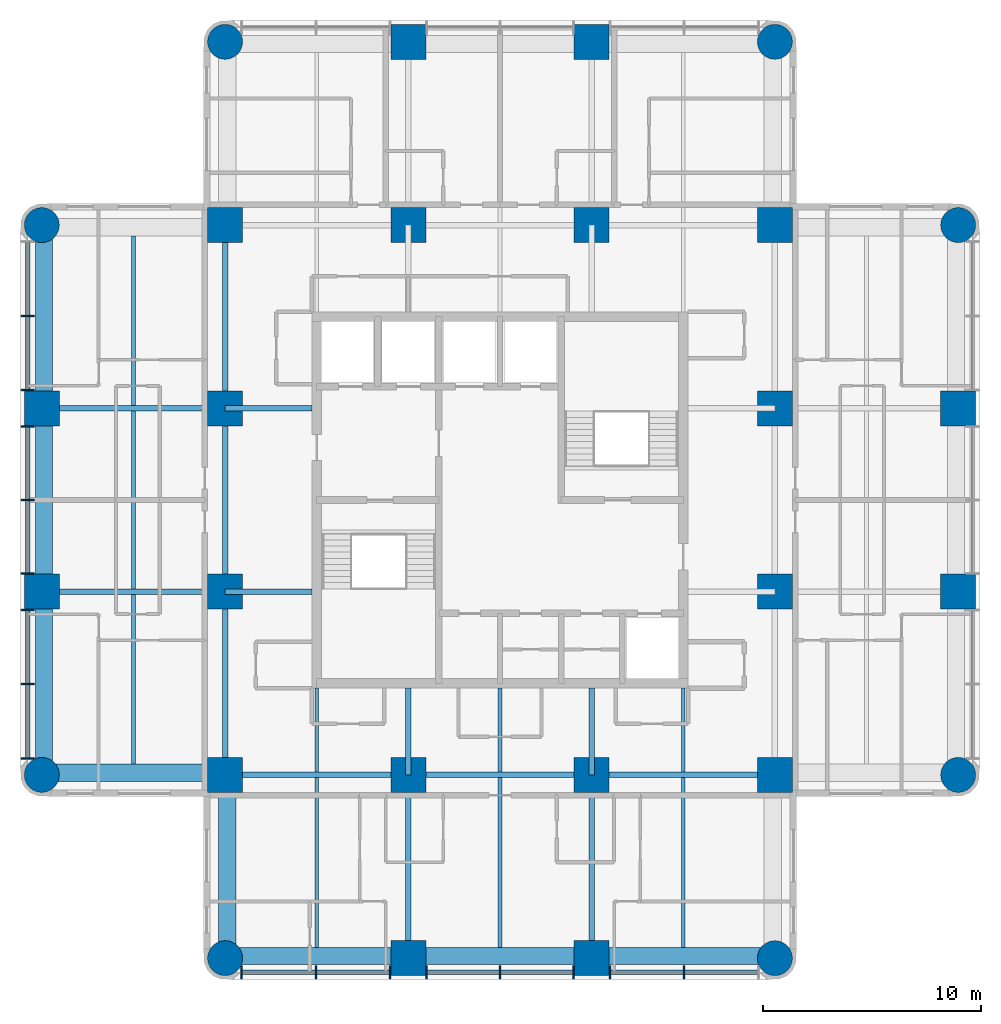
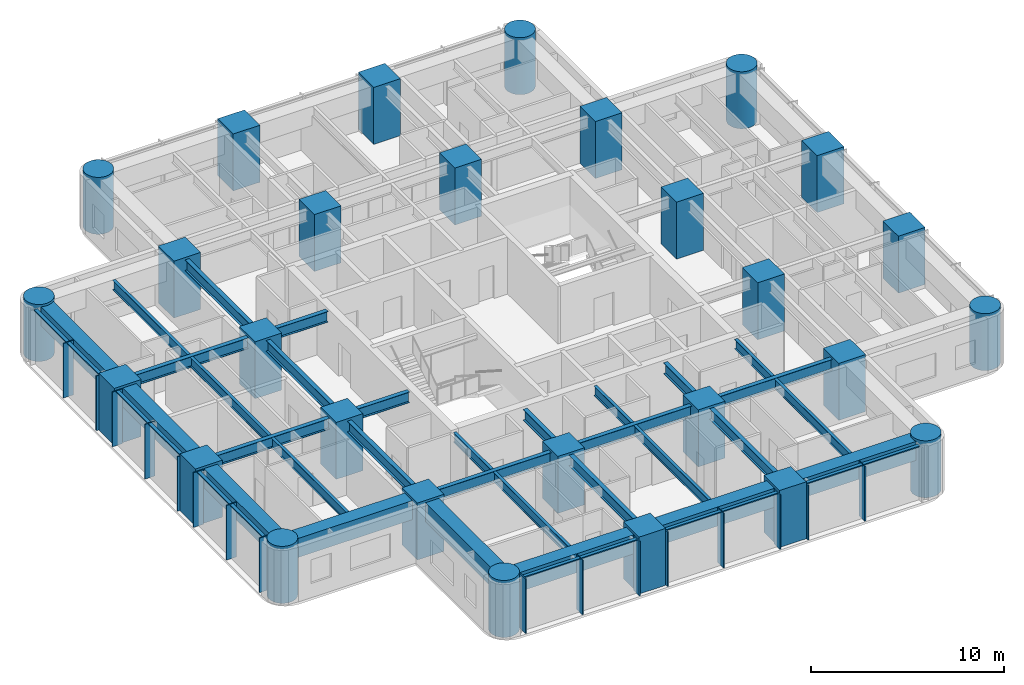
# One storey, part 1 of 10: 31 beams, 28 columns, 28 members, 2 elements without a shape of their own.
"""IFC4 building model written with IfcOpenShell, lengths in metres."""

from ifc_helpers import new_model, si_unit, direction, frame, origin, origin_2d, place, context, subcontext, project, spatial, rectangle, circle, i_section, extrude, material, material_profile, profile_set, type_object, element, aggregate, save


model = new_model("IFC4")

# Units and contexts
model_context = context("Model", 3, precision=1e-05, world=origin(), true_north=direction((0.0, 1.0)))
body_context = subcontext(model_context, "Body", "Model", "MODEL_VIEW")
ifc_project = project(units=[si_unit("LENGTHUNIT", "METRE"), si_unit("AREAUNIT", "SQUARE_METRE"), si_unit("VOLUMEUNIT", "CUBIC_METRE"), si_unit("PLANEANGLEUNIT", "RADIAN"), si_unit("MASSUNIT", "GRAM", prefix="KILO")], contexts=[model_context])

# Site, building, storey
site_placement = place(None, origin())
site = spatial("IfcSite", under=ifc_project, at=site_placement, CompositionType="ELEMENT")
building_placement = place(site_placement, origin())
building = spatial("IfcBuilding", under=site, at=building_placement, Name="Torre Alcanfor", CompositionType="ELEMENT")
storey_placement = place(building_placement, frame((0.0, 0.0, 257.699951171875)))
storey = spatial("IfcBuildingStorey", under=building, at=storey_placement, Name="L67", CompositionType="ELEMENT", Elevation=257.699951171875)

# Columns
ifc_material_1 = material(Name="Concrete f'c 70 MPa", Category="concrete")
ifc_material_profile_1 = material_profile(ifc_material_1, rectangle(XDim=1.60009765625, YDim=1.60009765625, at=origin_2d()), Name="1600x1600")
ifc_profile_set_1 = profile_set([ifc_material_profile_1], Name="Concrete f'c 70 MPa")
column_type_1 = type_object("IfcColumnType", Name="RC column 1600x1600 f'c70", PredefinedType="COLUMN", material=ifc_profile_set_1)
for number, where, z_axis, x_axis, name in (
    (1, (8.39990234375, 25.199951171875, 0.0), (0.0, 0.0, 1.0), (1.0, 0.0, 0.0), "Column 2/F L67"),
    (2, (8.39990234375, 33.60009765625, 0.0), (0.0, 0.0, 1.0), (1.0, 0.0, 0.0), "Column 2/G L67"),
    (3, (16.800048828125, 16.800048828125, 0.0), (0.0, 0.0, 1.0), (1.0, 0.0, 0.0), "Column 3/E L67"),
    (4, (16.800048828125, 25.199951171875, 0.0), (0.0, 0.0, 1.0), (1.0, 0.0, 0.0), "Column 3/F L67"),
    (5, (16.800048828125, 33.60009765625, 0.0), (0.0, 0.0, 1.0), (1.0, 0.0, 0.0), "Column 3/G L67"),
    (6, (16.800048828125, 42.0, 0.0), (0.0, 0.0, 1.0), (1.0, 0.0, 0.0), "Column 3/H L67"),
    (7, (25.199951171875, 8.39990234375, 0.0), (0.0, 0.0, 1.0), (1.0, 0.0, 0.0), "Column 4/D L67"),
    (8, (25.199951171875, 16.800048828125, 0.0), (0.0, 0.0, 1.0), (1.0, 0.0, 0.0), "Column 4/E L67"),
    (9, (25.199951171875, 42.0, 0.0), (0.0, 0.0, 1.0), (1.0, 0.0, 0.0), "Column 4/H L67"),
    (10, (25.199951171875, 50.39990234375, 0.0), (0.0, 0.0, 1.0), (1.0, 0.0, 0.0), "Column 4/J L67"),
    (11, (33.60009765625, 8.39990234375, 0.0), (0.0, 0.0, 1.0), (1.0, 0.0, 0.0), "Column 5/D L67"),
    (12, (33.60009765625, 16.800048828125, 0.0), (0.0, 0.0, 1.0), (1.0, 0.0, 0.0), "Column 5/E L67"),
    (13, (33.60009765625, 42.0, 0.0), (0.0, 0.0, 1.0), (1.0, 0.0, 0.0), "Column 5/H L67"),
    (14, (33.60009765625, 50.39990234375, 0.0), (0.0, 0.0, 1.0), (1.0, 0.0, 0.0), "Column 5/J L67"),
    (15, (42.0, 16.800048828125, 0.0), (0.0, 0.0, 1.0), (1.0, 0.0, 0.0), "Column 6/E L67"),
    (16, (42.0, 25.199951171875, 0.0), (0.0, 0.0, 1.0), (1.0, 0.0, 0.0), "Column 6/F L67"),
    (17, (42.0, 33.60009765625, 0.0), (0.0, 0.0, 1.0), (1.0, 0.0, 0.0), "Column 6/G L67"),
    (18, (42.0, 42.0, 0.0), (0.0, 0.0, 1.0), (1.0, 0.0, 0.0), "Column 6/H L67"),
    (19, (50.39990234375, 25.199951171875, 0.0), (0.0, 0.0, 1.0), (1.0, 0.0, 0.0), "Column 7/F L67"),
    (20, (50.39990234375, 33.60009765625, 0.0), (0.0, 0.0, 1.0), (1.0, 0.0, 0.0), "Column 7/G L67"),
):
    element("IfcColumn", number, at=place(storey_placement, frame(where, z_axis=z_axis, x_axis=x_axis)), inside=storey, type_object=column_type_1, Name=name, PredefinedType="COLUMN", context=body_context, shape_type="SweptSolid", body=[
        extrude(rectangle(XDim=1.60009765625, YDim=1.60009765625, at=origin_2d()), origin(), (0.0, 0.0, 1.0), 3.60009765625),
    ])
ifc_material_2 = material(Name="Concrete f'c 70 MPa", Category="concrete")
ifc_material_profile_2 = material_profile(ifc_material_2, circle(Radius=0.800048828125, at=origin_2d()), Name="D1600")
ifc_profile_set_2 = profile_set([ifc_material_profile_2], Name="Concrete f'c 70 MPa")
column_type_2 = type_object("IfcColumnType", Name="RC column D1600 f'c70", PredefinedType="COLUMN", material=ifc_profile_set_2)
for number, where, z_axis, x_axis, name in (
    (21, (8.39990234375, 16.800048828125, 0.0), (0.0, 0.0, 1.0), (1.0, 0.0, 0.0), "Column 2/E L67"),
    (22, (8.39990234375, 42.0, 0.0), (0.0, 0.0, 1.0), (1.0, 0.0, 0.0), "Column 2/H L67"),
    (23, (16.800048828125, 8.39990234375, 0.0), (0.0, 0.0, 1.0), (1.0, 0.0, 0.0), "Column 3/D L67"),
    (24, (16.800048828125, 50.39990234375, 0.0), (0.0, 0.0, 1.0), (1.0, 0.0, 0.0), "Column 3/J L67"),
    (25, (42.0, 8.39990234375, 0.0), (0.0, 0.0, 1.0), (1.0, 0.0, 0.0), "Column 6/D L67"),
    (26, (42.0, 50.39990234375, 0.0), (0.0, 0.0, 1.0), (1.0, 0.0, 0.0), "Column 6/J L67"),
    (27, (50.39990234375, 16.800048828125, 0.0), (0.0, 0.0, 1.0), (1.0, 0.0, 0.0), "Column 7/E L67"),
    (28, (50.39990234375, 42.0, 0.0), (0.0, 0.0, 1.0), (1.0, 0.0, 0.0), "Column 7/H L67"),
):
    element("IfcColumn", number, at=place(storey_placement, frame(where, z_axis=z_axis, x_axis=x_axis)), inside=storey, type_object=column_type_2, Name=name, PredefinedType="COLUMN", context=body_context, shape_type="SweptSolid", body=[
        extrude(circle(Radius=0.800048828125, at=origin_2d()), origin(), (0.0, 0.0, 1.0), 3.60009765625),
    ])

# Curtain wall, members
ifc_material_3 = material(Name="Aluminium and glass", Category="aluminium")
curtain_wall_type = type_object("IfcCurtainWallType", Name="CW-A unitised apartment glazing with vertical FIN", PredefinedType="NOTDEFINED", material=ifc_material_3)
curtain_wall_1_placement = place(storey_placement, origin())
curtain_wall_1 = element("IfcCurtainWall", 29, at=curtain_wall_1_placement, inside=storey, type_object=curtain_wall_type, Name="Curtain wall CW-A L67 2", PredefinedType="NOTDEFINED")
ifc_material_4 = material(Name="Bronze anodised aluminium", Category="aluminium")
ifc_material_profile_3 = material_profile(ifc_material_4, rectangle(XDim=0.60009765625, YDim=0.06494140625, at=origin_2d()), Name="CW-A mullion 65x600")
ifc_profile_set_3 = profile_set([ifc_material_profile_3], Name="Bronze anodised aluminium")
member_type_1 = type_object("IfcMemberType", Name="CW-A mullion with vertical FIN 65x600", PredefinedType="MULLION", material=ifc_profile_set_3)
member_1_placement = place(storey_placement, frame((7.75, 37.840087890625, 0.0), z_axis=(0.0, 0.0, 1.0), x_axis=(1.0, 0.0, 0.0)))
member_1 = element("IfcMember", 30, at=member_1_placement, type_object=member_type_1, Name="CW-A mullion 1.2", PredefinedType="MULLION", context=body_context, shape_type="SweptSolid", body=[
    extrude(rectangle(XDim=0.60009765625, YDim=0.06494140625, at=origin_2d()), origin(), (0.0, 0.0, 1.0), 3.449951171875),
])
member_2_placement = place(storey_placement, frame((7.75, 34.4375, 0.0), z_axis=(0.0, 0.0, 1.0), x_axis=(1.0, 0.0, 0.0)))
member_2 = element("IfcMember", 31, at=member_2_placement, type_object=member_type_1, Name="CW-A mullion 1.3", PredefinedType="MULLION", context=body_context, shape_type="SweptSolid", body=[
    extrude(rectangle(XDim=0.60009765625, YDim=0.06494140625, at=origin_2d()), origin(), (0.0, 0.0, 1.0), 3.449951171875),
])
member_3_placement = place(storey_placement, frame((7.75, 32.762451171875, 0.0), z_axis=(0.0, 0.0, 1.0), x_axis=(1.0, 0.0, 0.0)))
member_3 = element("IfcMember", 32, at=member_3_placement, type_object=member_type_1, Name="CW-A mullion 2.1", PredefinedType="MULLION", context=body_context, shape_type="SweptSolid", body=[
    extrude(rectangle(XDim=0.60009765625, YDim=0.06494140625, at=origin_2d()), origin(), (0.0, 0.0, 1.0), 3.449951171875),
])
member_4_placement = place(storey_placement, frame((7.75, 29.39990234375, 0.0), z_axis=(0.0, 0.0, 1.0), x_axis=(1.0, 0.0, 0.0)))
member_4 = element("IfcMember", 33, at=member_4_placement, type_object=member_type_1, Name="CW-A mullion 2.2", PredefinedType="MULLION", context=body_context, shape_type="SweptSolid", body=[
    extrude(rectangle(XDim=0.60009765625, YDim=0.06494140625, at=origin_2d()), origin(), (0.0, 0.0, 1.0), 3.449951171875),
])
member_5_placement = place(storey_placement, frame((7.75, 26.03759765625, 0.0), z_axis=(0.0, 0.0, 1.0), x_axis=(1.0, 0.0, 0.0)))
member_5 = element("IfcMember", 34, at=member_5_placement, type_object=member_type_1, Name="CW-A mullion 2.3", PredefinedType="MULLION", context=body_context, shape_type="SweptSolid", body=[
    extrude(rectangle(XDim=0.60009765625, YDim=0.06494140625, at=origin_2d()), origin(), (0.0, 0.0, 1.0), 3.449951171875),
])
member_6_placement = place(storey_placement, frame((7.75, 24.362548828125, 0.0), z_axis=(0.0, 0.0, 1.0), x_axis=(1.0, 0.0, 0.0)))
member_6 = element("IfcMember", 35, at=member_6_placement, type_object=member_type_1, Name="CW-A mullion 3.1", PredefinedType="MULLION", context=body_context, shape_type="SweptSolid", body=[
    extrude(rectangle(XDim=0.60009765625, YDim=0.06494140625, at=origin_2d()), origin(), (0.0, 0.0, 1.0), 3.449951171875),
])
member_7_placement = place(storey_placement, frame((7.75, 20.9599609375, 0.0), z_axis=(0.0, 0.0, 1.0), x_axis=(1.0, 0.0, 0.0)))
member_7 = element("IfcMember", 36, at=member_7_placement, type_object=member_type_1, Name="CW-A mullion 3.2", PredefinedType="MULLION", context=body_context, shape_type="SweptSolid", body=[
    extrude(rectangle(XDim=0.60009765625, YDim=0.06494140625, at=origin_2d()), origin(), (0.0, 0.0, 1.0), 3.449951171875),
])
member_8_placement = place(storey_placement, frame((7.75, 17.557373046875, 0.0), z_axis=(0.0, 0.0, 1.0), x_axis=(1.0, 0.0, 0.0)))
member_8 = element("IfcMember", 37, at=member_8_placement, type_object=member_type_1, Name="CW-A mullion 3.3", PredefinedType="MULLION", context=body_context, shape_type="SweptSolid", body=[
    extrude(rectangle(XDim=0.60009765625, YDim=0.06494140625, at=origin_2d()), origin(), (0.0, 0.0, 1.0), 3.449951171875),
])

curtain_wall_2_placement = place(storey_placement, origin())
curtain_wall_2 = element("IfcCurtainWall", 38, at=curtain_wall_2_placement, inside=storey, type_object=curtain_wall_type, Name="Curtain wall CW-A L67 5", PredefinedType="NOTDEFINED")
member_9_placement = place(storey_placement, frame((17.557373046875, 7.75, 0.0), z_axis=(0.0, 0.0, 1.0), x_axis=(0.0, 1.0, 0.0)))
member_9 = element("IfcMember", 39, at=member_9_placement, type_object=member_type_1, Name="CW-A mullion 1.1", PredefinedType="MULLION", context=body_context, shape_type="SweptSolid", body=[
    extrude(rectangle(XDim=0.60009765625, YDim=0.06494140625, at=origin_2d()), origin(), (0.0, 0.0, 1.0), 3.449951171875),
])
member_10_placement = place(storey_placement, frame((20.9599609375, 7.75, 0.0), z_axis=(0.0, 0.0, 1.0), x_axis=(0.0, 1.0, 0.0)))
member_10 = element("IfcMember", 40, at=member_10_placement, type_object=member_type_1, Name="CW-A mullion 1.2", PredefinedType="MULLION", context=body_context, shape_type="SweptSolid", body=[
    extrude(rectangle(XDim=0.60009765625, YDim=0.06494140625, at=origin_2d()), origin(), (0.0, 0.0, 1.0), 3.449951171875),
])
member_11_placement = place(storey_placement, frame((24.362548828125, 7.75, 0.0), z_axis=(0.0, 0.0, 1.0), x_axis=(0.0, 1.0, 0.0)))
member_11 = element("IfcMember", 41, at=member_11_placement, type_object=member_type_1, Name="CW-A mullion 1.3", PredefinedType="MULLION", context=body_context, shape_type="SweptSolid", body=[
    extrude(rectangle(XDim=0.60009765625, YDim=0.06494140625, at=origin_2d()), origin(), (0.0, 0.0, 1.0), 3.449951171875),
])
member_12_placement = place(storey_placement, frame((26.03759765625, 7.75, 0.0), z_axis=(0.0, 0.0, 1.0), x_axis=(0.0, 1.0, 0.0)))
member_12 = element("IfcMember", 42, at=member_12_placement, type_object=member_type_1, Name="CW-A mullion 2.1", PredefinedType="MULLION", context=body_context, shape_type="SweptSolid", body=[
    extrude(rectangle(XDim=0.60009765625, YDim=0.06494140625, at=origin_2d()), origin(), (0.0, 0.0, 1.0), 3.449951171875),
])
member_13_placement = place(storey_placement, frame((29.39990234375, 7.75, 0.0), z_axis=(0.0, 0.0, 1.0), x_axis=(0.0, 1.0, 0.0)))
member_13 = element("IfcMember", 43, at=member_13_placement, type_object=member_type_1, Name="CW-A mullion 2.2", PredefinedType="MULLION", context=body_context, shape_type="SweptSolid", body=[
    extrude(rectangle(XDim=0.60009765625, YDim=0.06494140625, at=origin_2d()), origin(), (0.0, 0.0, 1.0), 3.449951171875),
])
member_14_placement = place(storey_placement, frame((32.762451171875, 7.75, 0.0), z_axis=(0.0, 0.0, 1.0), x_axis=(0.0, 1.0, 0.0)))
member_14 = element("IfcMember", 44, at=member_14_placement, type_object=member_type_1, Name="CW-A mullion 2.3", PredefinedType="MULLION", context=body_context, shape_type="SweptSolid", body=[
    extrude(rectangle(XDim=0.60009765625, YDim=0.06494140625, at=origin_2d()), origin(), (0.0, 0.0, 1.0), 3.449951171875),
])
member_15_placement = place(storey_placement, frame((34.4375, 7.75, 0.0), z_axis=(0.0, 0.0, 1.0), x_axis=(0.0, 1.0, 0.0)))
member_15 = element("IfcMember", 45, at=member_15_placement, type_object=member_type_1, Name="CW-A mullion 3.1", PredefinedType="MULLION", context=body_context, shape_type="SweptSolid", body=[
    extrude(rectangle(XDim=0.60009765625, YDim=0.06494140625, at=origin_2d()), origin(), (0.0, 0.0, 1.0), 3.449951171875),
])
member_16_placement = place(storey_placement, frame((37.840087890625, 7.75, 0.0), z_axis=(0.0, 0.0, 1.0), x_axis=(0.0, 1.0, 0.0)))
member_16 = element("IfcMember", 46, at=member_16_placement, type_object=member_type_1, Name="CW-A mullion 3.2", PredefinedType="MULLION", context=body_context, shape_type="SweptSolid", body=[
    extrude(rectangle(XDim=0.60009765625, YDim=0.06494140625, at=origin_2d()), origin(), (0.0, 0.0, 1.0), 3.449951171875),
])

# Member
ifc_material_5 = material(Name="Extruded aluminium", Category="aluminium")
ifc_material_profile_4 = material_profile(ifc_material_5, rectangle(XDim=0.199951171875, YDim=0.06494140625, at=origin_2d()), Name="CW-A transom 200x65")
ifc_profile_set_4 = profile_set([ifc_material_profile_4], Name="Extruded aluminium")
member_type_2 = type_object("IfcMemberType", Name="CW-A transom 65x200", PredefinedType="USERDEFINED", material=ifc_profile_set_4)
member_17_placement = place(storey_placement, frame((7.75, 41.210205078125, 3.41748046875), z_axis=(0.0, -1.0, 0.0), x_axis=(1.0, 0.0, 0.0)))
member_17 = element("IfcMember", 47, at=member_17_placement, type_object=member_type_2, Name="CW-A transom 1.1.2", ObjectType="TRANSOM", PredefinedType="USERDEFINED", context=body_context, shape_type="SweptSolid", body=[
    extrude(rectangle(XDim=0.199951171875, YDim=0.06494140625, at=origin_2d()), origin(), (0.0, 0.0, 1.0), 3.337646484375),
])

member_18_placement = place(storey_placement, frame((7.75, 37.8076171875, 3.41748046875), z_axis=(0.0, -1.0, 0.0), x_axis=(1.0, 0.0, 0.0)))
member_18 = element("IfcMember", 48, at=member_18_placement, type_object=member_type_2, Name="CW-A transom 1.2.2", ObjectType="TRANSOM", PredefinedType="USERDEFINED", context=body_context, shape_type="SweptSolid", body=[
    extrude(rectangle(XDim=0.199951171875, YDim=0.06494140625, at=origin_2d()), origin(), (0.0, 0.0, 1.0), 3.337646484375),
])

member_19_placement = place(storey_placement, frame((7.75, 32.72998046875, 3.41748046875), z_axis=(0.0, -1.0, 0.0), x_axis=(1.0, 0.0, 0.0)))
member_19 = element("IfcMember", 49, at=member_19_placement, type_object=member_type_2, Name="CW-A transom 2.1.2", ObjectType="TRANSOM", PredefinedType="USERDEFINED", context=body_context, shape_type="SweptSolid", body=[
    extrude(rectangle(XDim=0.199951171875, YDim=0.06494140625, at=origin_2d()), origin(), (0.0, 0.0, 1.0), 3.29736328125),
])

member_20_placement = place(storey_placement, frame((7.75, 29.367431640625, 3.41748046875), z_axis=(0.0, -1.0, 0.0), x_axis=(1.0, 0.0, 0.0)))
member_20 = element("IfcMember", 50, at=member_20_placement, type_object=member_type_2, Name="CW-A transom 2.2.2", ObjectType="TRANSOM", PredefinedType="USERDEFINED", context=body_context, shape_type="SweptSolid", body=[
    extrude(rectangle(XDim=0.199951171875, YDim=0.06494140625, at=origin_2d()), origin(), (0.0, 0.0, 1.0), 3.29736328125),
])

member_21_placement = place(storey_placement, frame((7.75, 24.330078125, 3.41748046875), z_axis=(0.0, -1.0, 0.0), x_axis=(1.0, 0.0, 0.0)))
member_21 = element("IfcMember", 51, at=member_21_placement, type_object=member_type_2, Name="CW-A transom 3.1.2", ObjectType="TRANSOM", PredefinedType="USERDEFINED", context=body_context, shape_type="SweptSolid", body=[
    extrude(rectangle(XDim=0.199951171875, YDim=0.06494140625, at=origin_2d()), origin(), (0.0, 0.0, 1.0), 3.337646484375),
])

member_22_placement = place(storey_placement, frame((7.75, 20.927490234375, 3.41748046875), z_axis=(0.0, -1.0, 0.0), x_axis=(1.0, 0.0, 0.0)))
member_22 = element("IfcMember", 52, at=member_22_placement, type_object=member_type_2, Name="CW-A transom 3.2.2", ObjectType="TRANSOM", PredefinedType="USERDEFINED", context=body_context, shape_type="SweptSolid", body=[
    extrude(rectangle(XDim=0.199951171875, YDim=0.06494140625, at=origin_2d()), origin(), (0.0, 0.0, 1.0), 3.337646484375),
])

aggregate(curtain_wall_1, [member_1, member_2, member_17, member_18, member_3, member_4, member_5, member_19, member_20, member_6, member_7, member_8, member_21, member_22])

member_23_placement = place(storey_placement, frame((17.58984375, 7.75, 3.41748046875), z_axis=(1.0, 0.0, 0.0), x_axis=(0.0, 1.0, 0.0)))
member_23 = element("IfcMember", 53, at=member_23_placement, type_object=member_type_2, Name="CW-A transom 1.1.2", ObjectType="TRANSOM", PredefinedType="USERDEFINED", context=body_context, shape_type="SweptSolid", body=[
    extrude(rectangle(XDim=0.199951171875, YDim=0.06494140625, at=origin_2d()), origin(), (0.0, 0.0, 1.0), 3.337646484375),
])

member_24_placement = place(storey_placement, frame((20.992431640625, 7.75, 3.41748046875), z_axis=(1.0, 0.0, 0.0), x_axis=(0.0, 1.0, 0.0)))
member_24 = element("IfcMember", 54, at=member_24_placement, type_object=member_type_2, Name="CW-A transom 1.2.2", ObjectType="TRANSOM", PredefinedType="USERDEFINED", context=body_context, shape_type="SweptSolid", body=[
    extrude(rectangle(XDim=0.199951171875, YDim=0.06494140625, at=origin_2d()), origin(), (0.0, 0.0, 1.0), 3.337646484375),
])

member_25_placement = place(storey_placement, frame((26.070068359375, 7.75, 3.41748046875), z_axis=(1.0, 0.0, 0.0), x_axis=(0.0, 1.0, 0.0)))
member_25 = element("IfcMember", 55, at=member_25_placement, type_object=member_type_2, Name="CW-A transom 2.1.2", ObjectType="TRANSOM", PredefinedType="USERDEFINED", context=body_context, shape_type="SweptSolid", body=[
    extrude(rectangle(XDim=0.199951171875, YDim=0.06494140625, at=origin_2d()), origin(), (0.0, 0.0, 1.0), 3.29736328125),
])

member_26_placement = place(storey_placement, frame((29.4326171875, 7.75, 3.41748046875), z_axis=(1.0, 0.0, 0.0), x_axis=(0.0, 1.0, 0.0)))
member_26 = element("IfcMember", 56, at=member_26_placement, type_object=member_type_2, Name="CW-A transom 2.2.2", ObjectType="TRANSOM", PredefinedType="USERDEFINED", context=body_context, shape_type="SweptSolid", body=[
    extrude(rectangle(XDim=0.199951171875, YDim=0.06494140625, at=origin_2d()), origin(), (0.0, 0.0, 1.0), 3.29736328125),
])

member_27_placement = place(storey_placement, frame((34.469970703125, 7.75, 3.41748046875), z_axis=(1.0, 0.0, 0.0), x_axis=(0.0, 1.0, 0.0)))
member_27 = element("IfcMember", 57, at=member_27_placement, type_object=member_type_2, Name="CW-A transom 3.1.2", ObjectType="TRANSOM", PredefinedType="USERDEFINED", context=body_context, shape_type="SweptSolid", body=[
    extrude(rectangle(XDim=0.199951171875, YDim=0.06494140625, at=origin_2d()), origin(), (0.0, 0.0, 1.0), 3.337646484375),
])

member_28_placement = place(storey_placement, frame((37.87255859375, 7.75, 3.41748046875), z_axis=(1.0, 0.0, 0.0), x_axis=(0.0, 1.0, 0.0)))
member_28 = element("IfcMember", 58, at=member_28_placement, type_object=member_type_2, Name="CW-A transom 3.2.2", ObjectType="TRANSOM", PredefinedType="USERDEFINED", context=body_context, shape_type="SweptSolid", body=[
    extrude(rectangle(XDim=0.199951171875, YDim=0.06494140625, at=origin_2d()), origin(), (0.0, 0.0, 1.0), 3.337646484375),
])

aggregate(curtain_wall_2, [member_9, member_10, member_11, member_23, member_24, member_12, member_13, member_14, member_25, member_26, member_15, member_16, member_27, member_28])

# Beams
ifc_material_6 = material(Name="Steel ASTM A992 Grade 50", Category="steel")
ifc_material_profile_5 = material_profile(ifc_material_6, i_section(OverallWidth=0.25390625, OverallDepth=0.683349609375, WebThickness=0.012451171875, FlangeThickness=0.01904296875, at=origin_2d()), Name="W27x94")
ifc_profile_set_5 = profile_set([ifc_material_profile_5], Name="Steel ASTM A992 Grade 50")
beam_type_1 = type_object("IfcBeamType", Name="Girder W27x94", PredefinedType="BEAM", material=ifc_profile_set_5)
beam_1_placement = place(storey_placement, frame((16.800048828125, 16.800048828125, 3.1083984375), z_axis=(1.0, 0.0, 0.0), x_axis=(0.0, 1.0, 0.0)))
element("IfcBeam", 59, at=beam_1_placement, inside=storey, type_object=beam_type_1, Name="Beam 3E-4E under L68", PredefinedType="BEAM", context=body_context, shape_type="SweptSolid", body=[
    extrude(i_section(OverallWidth=0.25390625, OverallDepth=0.683349609375, WebThickness=0.012451171875, FlangeThickness=0.01904296875, at=origin_2d()), origin(), (0.0, 0.0, 1.0), 8.39990234375),
])
beam_2_placement = place(storey_placement, frame((25.199951171875, 16.800048828125, 3.1083984375), z_axis=(1.0, 0.0, 0.0), x_axis=(0.0, 1.0, 0.0)))
element("IfcBeam", 60, at=beam_2_placement, inside=storey, type_object=beam_type_1, Name="Beam 4E-5E under L68", PredefinedType="BEAM", context=body_context, shape_type="SweptSolid", body=[
    extrude(i_section(OverallWidth=0.25390625, OverallDepth=0.683349609375, WebThickness=0.012451171875, FlangeThickness=0.01904296875, at=origin_2d()), origin(), (0.0, 0.0, 1.0), 8.400146484375),
])
beam_3_placement = place(storey_placement, frame((33.60009765625, 16.800048828125, 3.1083984375), z_axis=(1.0, 0.0, 0.0), x_axis=(0.0, 1.0, 0.0)))
element("IfcBeam", 61, at=beam_3_placement, inside=storey, type_object=beam_type_1, Name="Beam 5E-6E under L68", PredefinedType="BEAM", context=body_context, shape_type="SweptSolid", body=[
    extrude(i_section(OverallWidth=0.25390625, OverallDepth=0.683349609375, WebThickness=0.012451171875, FlangeThickness=0.01904296875, at=origin_2d()), origin(), (0.0, 0.0, 1.0), 8.39990234375),
])
for number, where, z_axis, x_axis, name in (
    (62, (8.39990234375, 25.199951171875, 3.1083984375), (1.0, 0.0, 0.0), (0.0, 1.0, 0.0), "Beam 2F-3F under L68"),
    (63, (8.39990234375, 33.60009765625, 3.1083984375), (1.0, 0.0, 0.0), (0.0, 1.0, 0.0), "Beam 2G-3G under L68"),
):
    element("IfcBeam", number, at=place(storey_placement, frame(where, z_axis=z_axis, x_axis=x_axis)), inside=storey, type_object=beam_type_1, Name=name, PredefinedType="BEAM", context=body_context, shape_type="SweptSolid", body=[
        extrude(i_section(OverallWidth=0.25390625, OverallDepth=0.683349609375, WebThickness=0.012451171875, FlangeThickness=0.01904296875, at=origin_2d()), origin(), (0.0, 0.0, 1.0), 8.400146484375),
    ])
beam_4_placement = place(storey_placement, frame((16.800048828125, 16.800048828125, 3.1083984375), z_axis=(0.0, 1.0, 0.0), x_axis=(-1.0, 0.0, 0.0)))
element("IfcBeam", 64, at=beam_4_placement, inside=storey, type_object=beam_type_1, Name="Beam 3E-3F under L68", PredefinedType="BEAM", context=body_context, shape_type="SweptSolid", body=[
    extrude(i_section(OverallWidth=0.25390625, OverallDepth=0.683349609375, WebThickness=0.012451171875, FlangeThickness=0.01904296875, at=origin_2d()), origin(), (0.0, 0.0, 1.0), 8.39990234375),
])
beam_5_placement = place(storey_placement, frame((16.800048828125, 25.199951171875, 3.1083984375), z_axis=(0.0, 1.0, 0.0), x_axis=(-1.0, 0.0, 0.0)))
element("IfcBeam", 65, at=beam_5_placement, inside=storey, type_object=beam_type_1, Name="Beam 3F-3G under L68", PredefinedType="BEAM", context=body_context, shape_type="SweptSolid", body=[
    extrude(i_section(OverallWidth=0.25390625, OverallDepth=0.683349609375, WebThickness=0.012451171875, FlangeThickness=0.01904296875, at=origin_2d()), origin(), (0.0, 0.0, 1.0), 8.400146484375),
])
beam_6_placement = place(storey_placement, frame((16.800048828125, 33.60009765625, 3.1083984375), z_axis=(0.0, 1.0, 0.0), x_axis=(-1.0, 0.0, 0.0)))
element("IfcBeam", 66, at=beam_6_placement, inside=storey, type_object=beam_type_1, Name="Beam 3G-3H under L68", PredefinedType="BEAM", context=body_context, shape_type="SweptSolid", body=[
    extrude(i_section(OverallWidth=0.25390625, OverallDepth=0.683349609375, WebThickness=0.012451171875, FlangeThickness=0.01904296875, at=origin_2d()), origin(), (0.0, 0.0, 1.0), 8.39990234375),
])
for number, where, z_axis, x_axis, name in (
    (67, (25.199951171875, 8.39990234375, 3.1083984375), (0.0, 1.0, 0.0), (-1.0, 0.0, 0.0), "Beam 4D-4E under L68"),
    (68, (33.60009765625, 8.39990234375, 3.1083984375), (0.0, 1.0, 0.0), (-1.0, 0.0, 0.0), "Beam 5D-5E under L68"),
):
    element("IfcBeam", number, at=place(storey_placement, frame(where, z_axis=z_axis, x_axis=x_axis)), inside=storey, type_object=beam_type_1, Name=name, PredefinedType="BEAM", context=body_context, shape_type="SweptSolid", body=[
        extrude(i_section(OverallWidth=0.25390625, OverallDepth=0.683349609375, WebThickness=0.012451171875, FlangeThickness=0.01904296875, at=origin_2d()), origin(), (0.0, 0.0, 1.0), 8.400146484375),
    ])
ifc_material_7 = material(Name="Steel ASTM A992 Grade 50", Category="steel")
ifc_material_profile_6 = material_profile(ifc_material_7, i_section(OverallWidth=0.25390625, OverallDepth=0.683349609375, WebThickness=0.012451171875, FlangeThickness=0.01904296875, at=origin_2d()), Name="W27x94")
ifc_profile_set_6 = profile_set([ifc_material_profile_6], Name="Steel ASTM A992 Grade 50")
beam_type_2 = type_object("IfcBeamType", Name="Girder, part bay W27x94", PredefinedType="BEAM", material=ifc_profile_set_6)
for number, where, z_axis, x_axis, name in (
    (69, (25.199951171875, 16.800048828125, 3.1083984375), (0.0, 1.0, 0.0), (-1.0, 0.0, 0.0), "Beam 4E-420_775 under L68"),
    (70, (33.60009765625, 16.800048828125, 3.1083984375), (0.0, 1.0, 0.0), (-1.0, 0.0, 0.0), "Beam 5E-520_775 under L68"),
    (71, (16.800048828125, 25.199951171875, 3.1083984375), (1.0, 0.0, 0.0), (0.0, 1.0, 0.0), "Beam 3F-20_775F under L68"),
    (72, (16.800048828125, 33.60009765625, 3.1083984375), (1.0, 0.0, 0.0), (0.0, 1.0, 0.0), "Beam 3G-20_775G under L68"),
):
    element("IfcBeam", number, at=place(storey_placement, frame(where, z_axis=z_axis, x_axis=x_axis)), inside=storey, type_object=beam_type_2, Name=name, PredefinedType="BEAM", context=body_context, shape_type="SweptSolid", body=[
        extrude(i_section(OverallWidth=0.25390625, OverallDepth=0.683349609375, WebThickness=0.012451171875, FlangeThickness=0.01904296875, at=origin_2d()), origin(), (0.0, 0.0, 1.0), 3.974853515625),
    ])
ifc_material_8 = material(Name="Concrete f'c 70 MPa", Category="concrete")
ifc_material_profile_7 = material_profile(ifc_material_8, rectangle(XDim=0.800048828125, YDim=1.199951171875, at=origin_2d()), Name="800x1200")
ifc_profile_set_7 = profile_set([ifc_material_profile_7], Name="Concrete f'c 70 MPa")
beam_type_3 = type_object("IfcBeamType", Name="RC perimeter beam 800x1200", PredefinedType="BEAM", material=ifc_profile_set_7)
beam_7_placement = place(storey_placement, frame((16.800048828125, 8.5, 2.85009765625), z_axis=(1.0, 0.0, 0.0), x_axis=(0.0, 1.0, 0.0)))
element("IfcBeam", 73, at=beam_7_placement, inside=storey, type_object=beam_type_3, Name="Beam 3D-4D under L68", PredefinedType="BEAM", context=body_context, shape_type="SweptSolid", body=[
    extrude(rectangle(XDim=0.800048828125, YDim=1.199951171875, at=origin_2d()), origin(), (0.0, 0.0, 1.0), 8.27294921875),
])
beam_8_placement = place(storey_placement, frame((25.326904296875, 8.5, 2.85009765625), z_axis=(1.0, 0.0, 0.0), x_axis=(0.0, 1.0, 0.0)))
element("IfcBeam", 74, at=beam_8_placement, inside=storey, type_object=beam_type_3, Name="Beam 4D-5D under L68", PredefinedType="BEAM", context=body_context, shape_type="SweptSolid", body=[
    extrude(rectangle(XDim=0.800048828125, YDim=1.199951171875, at=origin_2d()), origin(), (0.0, 0.0, 1.0), 8.14599609375),
])
beam_9_placement = place(storey_placement, frame((33.72705078125, 8.5, 2.85009765625), z_axis=(1.0, 0.0, 0.0), x_axis=(0.0, 1.0, 0.0)))
element("IfcBeam", 75, at=beam_9_placement, inside=storey, type_object=beam_type_3, Name="Beam 5D-6D under L68", PredefinedType="BEAM", context=body_context, shape_type="SweptSolid", body=[
    extrude(rectangle(XDim=0.800048828125, YDim=1.199951171875, at=origin_2d()), origin(), (0.0, 0.0, 1.0), 8.27294921875),
])
beam_10_placement = place(storey_placement, frame((8.39990234375, 16.89990234375, 2.85009765625), z_axis=(1.0, 0.0, 0.0), x_axis=(0.0, 1.0, 0.0)))
element("IfcBeam", 76, at=beam_10_placement, inside=storey, type_object=beam_type_3, Name="Beam 2E-3E under L68", PredefinedType="BEAM", context=body_context, shape_type="SweptSolid", body=[
    extrude(rectangle(XDim=0.800048828125, YDim=1.199951171875, at=origin_2d()), origin(), (0.0, 0.0, 1.0), 8.273193359375),
])
beam_11_placement = place(storey_placement, frame((8.5, 16.800048828125, 2.85009765625), z_axis=(0.0, 1.0, 0.0), x_axis=(-1.0, 0.0, 0.0)))
element("IfcBeam", 77, at=beam_11_placement, inside=storey, type_object=beam_type_3, Name="Beam 2E-2F under L68", PredefinedType="BEAM", context=body_context, shape_type="SweptSolid", body=[
    extrude(rectangle(XDim=0.800048828125, YDim=1.199951171875, at=origin_2d()), origin(), (0.0, 0.0, 1.0), 8.27294921875),
])
beam_12_placement = place(storey_placement, frame((8.5, 25.326904296875, 2.85009765625), z_axis=(0.0, 1.0, 0.0), x_axis=(-1.0, 0.0, 0.0)))
element("IfcBeam", 78, at=beam_12_placement, inside=storey, type_object=beam_type_3, Name="Beam 2F-2G under L68", PredefinedType="BEAM", context=body_context, shape_type="SweptSolid", body=[
    extrude(rectangle(XDim=0.800048828125, YDim=1.199951171875, at=origin_2d()), origin(), (0.0, 0.0, 1.0), 8.14599609375),
])
beam_13_placement = place(storey_placement, frame((8.5, 33.72705078125, 2.85009765625), z_axis=(0.0, 1.0, 0.0), x_axis=(-1.0, 0.0, 0.0)))
element("IfcBeam", 79, at=beam_13_placement, inside=storey, type_object=beam_type_3, Name="Beam 2G-2H under L68", PredefinedType="BEAM", context=body_context, shape_type="SweptSolid", body=[
    extrude(rectangle(XDim=0.800048828125, YDim=1.199951171875, at=origin_2d()), origin(), (0.0, 0.0, 1.0), 8.27294921875),
])
beam_14_placement = place(storey_placement, frame((16.89990234375, 8.39990234375, 2.85009765625), z_axis=(0.0, 1.0, 0.0), x_axis=(-1.0, 0.0, 0.0)))
element("IfcBeam", 80, at=beam_14_placement, inside=storey, type_object=beam_type_3, Name="Beam 3D-3E under L68", PredefinedType="BEAM", context=body_context, shape_type="SweptSolid", body=[
    extrude(rectangle(XDim=0.800048828125, YDim=1.199951171875, at=origin_2d()), origin(), (0.0, 0.0, 1.0), 8.273193359375),
])
ifc_material_9 = material(Name="Steel ASTM A992 Grade 50", Category="steel")
ifc_material_profile_8 = material_profile(ifc_material_9, i_section(OverallWidth=0.1787109375, OverallDepth=0.60205078125, WebThickness=0.010986328125, FlangeThickness=0.014892578125, at=origin_2d()), Name="W24x62")
ifc_profile_set_8 = profile_set([ifc_material_profile_8], Name="Steel ASTM A992 Grade 50")
beam_type_4 = type_object("IfcBeamType", Name="Secondary beam W24x62", PredefinedType="BEAM", material=ifc_profile_set_8)
beam_15_placement = place(storey_placement, frame((12.60009765625, 17.300048828125, 3.149169921875), z_axis=(0.0, 1.0, 0.0), x_axis=(-1.0, 0.0, 0.0)))
element("IfcBeam", 81, at=beam_15_placement, inside=storey, type_object=beam_type_4, Name="Beam 12_6E-12_6F under L68", PredefinedType="BEAM", context=body_context, shape_type="SweptSolid", body=[
    extrude(i_section(OverallWidth=0.1787109375, OverallDepth=0.60205078125, WebThickness=0.010986328125, FlangeThickness=0.014892578125, at=origin_2d()), origin(), (0.0, 0.0, 1.0), 7.77294921875),
])
beam_16_placement = place(storey_placement, frame((12.60009765625, 25.326904296875, 3.149169921875), z_axis=(0.0, 1.0, 0.0), x_axis=(-1.0, 0.0, 0.0)))
element("IfcBeam", 82, at=beam_16_placement, inside=storey, type_object=beam_type_4, Name="Beam 12_6F-12_6G under L68", PredefinedType="BEAM", context=body_context, shape_type="SweptSolid", body=[
    extrude(i_section(OverallWidth=0.1787109375, OverallDepth=0.60205078125, WebThickness=0.010986328125, FlangeThickness=0.014892578125, at=origin_2d()), origin(), (0.0, 0.0, 1.0), 8.14599609375),
])
beam_17_placement = place(storey_placement, frame((12.60009765625, 33.72705078125, 3.149169921875), z_axis=(0.0, 1.0, 0.0), x_axis=(-1.0, 0.0, 0.0)))
element("IfcBeam", 83, at=beam_17_placement, inside=storey, type_object=beam_type_4, Name="Beam 12_6G-12_6H under L68", PredefinedType="BEAM", context=body_context, shape_type="SweptSolid", body=[
    extrude(i_section(OverallWidth=0.1787109375, OverallDepth=0.60205078125, WebThickness=0.010986328125, FlangeThickness=0.014892578125, at=origin_2d()), origin(), (0.0, 0.0, 1.0), 7.77294921875),
])
for number, where, z_axis, x_axis, name in (
    (84, (21.0, 8.89990234375, 3.149169921875), (0.0, 1.0, 0.0), (-1.0, 0.0, 0.0), "Beam 21D-21E under L68"),
    (85, (29.39990234375, 8.89990234375, 3.149169921875), (0.0, 1.0, 0.0), (-1.0, 0.0, 0.0), "Beam 29_4D-29_4E under L68"),
    (86, (37.800048828125, 8.89990234375, 3.149169921875), (0.0, 1.0, 0.0), (-1.0, 0.0, 0.0), "Beam 37_8D-37_8E under L68"),
):
    element("IfcBeam", number, at=place(storey_placement, frame(where, z_axis=z_axis, x_axis=x_axis)), inside=storey, type_object=beam_type_4, Name=name, PredefinedType="BEAM", context=body_context, shape_type="SweptSolid", body=[
        extrude(i_section(OverallWidth=0.1787109375, OverallDepth=0.60205078125, WebThickness=0.010986328125, FlangeThickness=0.014892578125, at=origin_2d()), origin(), (0.0, 0.0, 1.0), 7.773193359375),
    ])
ifc_material_10 = material(Name="Steel ASTM A992 Grade 50", Category="steel")
ifc_material_profile_9 = material_profile(ifc_material_10, i_section(OverallWidth=0.1787109375, OverallDepth=0.60205078125, WebThickness=0.010986328125, FlangeThickness=0.014892578125, at=origin_2d()), Name="W24x62")
ifc_profile_set_9 = profile_set([ifc_material_profile_9], Name="Steel ASTM A992 Grade 50")
beam_type_5 = type_object("IfcBeamType", Name="Secondary beam, part bay W24x62", PredefinedType="BEAM", material=ifc_profile_set_9)
for number, where, z_axis, x_axis, name in (
    (87, (21.0, 16.927001953125, 3.149169921875), (0.0, 1.0, 0.0), (-1.0, 0.0, 0.0), "Beam 21E-2120_775 under L68"),
    (88, (29.39990234375, 16.927001953125, 3.149169921875), (0.0, 1.0, 0.0), (-1.0, 0.0, 0.0), "Beam 29_4E-29_420_775 under L68"),
    (89, (37.800048828125, 16.927001953125, 3.149169921875), (0.0, 1.0, 0.0), (-1.0, 0.0, 0.0), "Beam 37_8E-37_820_775 under L68"),
):
    element("IfcBeam", number, at=place(storey_placement, frame(where, z_axis=z_axis, x_axis=x_axis)), inside=storey, type_object=beam_type_5, Name=name, PredefinedType="BEAM", context=body_context, shape_type="SweptSolid", body=[
        extrude(i_section(OverallWidth=0.1787109375, OverallDepth=0.60205078125, WebThickness=0.010986328125, FlangeThickness=0.014892578125, at=origin_2d()), origin(), (0.0, 0.0, 1.0), 3.847900390625),
    ])

save(model, "model.ifc")
